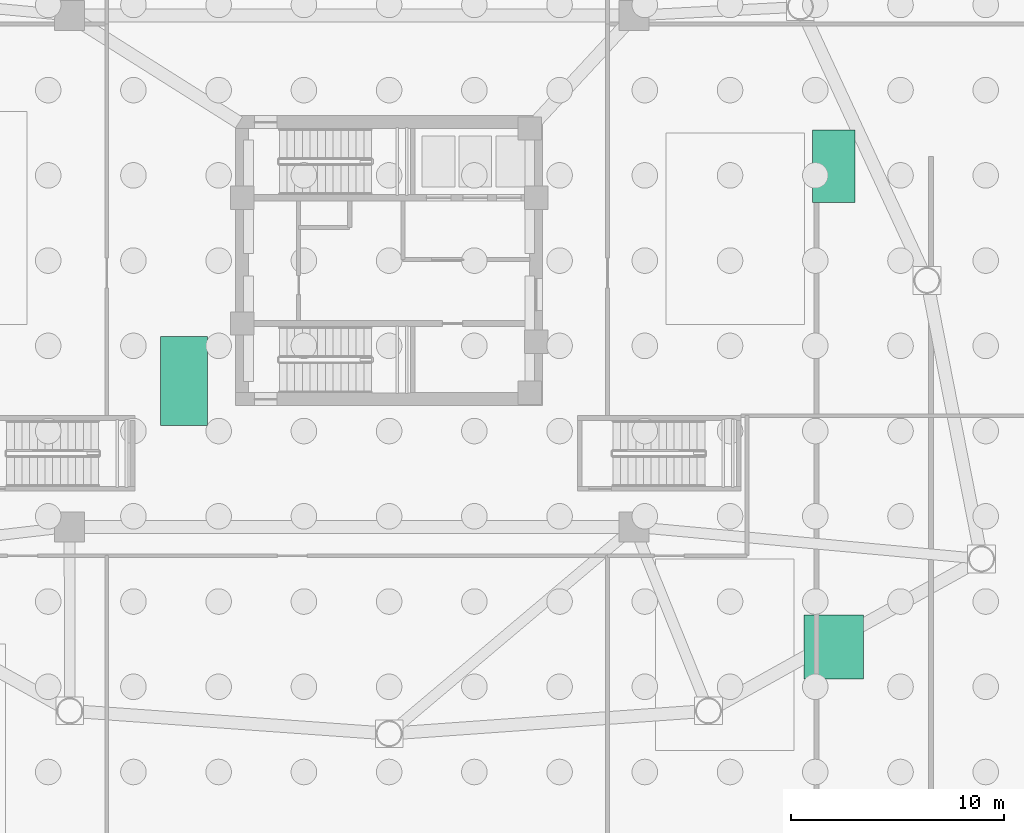
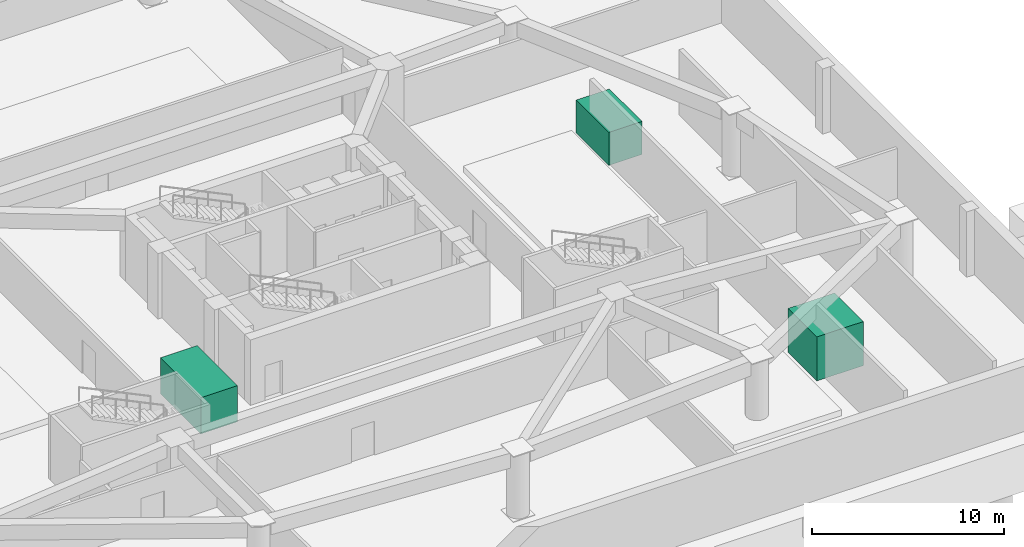
# One storey, part 10 of 11: 1 chiller, 1 cooling tower, 1 unitary equipment element.
"""IFC4 building model written with IfcOpenShell, lengths in metres."""

from ifc_helpers import new_model, si_unit, direction, frame, origin, origin_2d, place, context, subcontext, project, spatial, rectangle, extrude, material, type_object, element, save


model = new_model("IFC4")

# Units and contexts
model_context = context("Model", 3, precision=1e-05, world=origin(), true_north=direction((0.0, 1.0)))
body_context = subcontext(model_context, "Body", "Model", "MODEL_VIEW")
ifc_project = project(units=[si_unit("LENGTHUNIT", "METRE"), si_unit("AREAUNIT", "SQUARE_METRE"), si_unit("VOLUMEUNIT", "CUBIC_METRE"), si_unit("PLANEANGLEUNIT", "RADIAN"), si_unit("MASSUNIT", "GRAM", prefix="KILO")], contexts=[model_context])

# Site, building, storey
site_placement = place(None, origin())
site = spatial("IfcSite", under=ifc_project, at=site_placement, CompositionType="ELEMENT")
building_placement = place(site_placement, origin())
building = spatial("IfcBuilding", under=site, at=building_placement, Name="Tavelor Broadcast Tower", CompositionType="ELEMENT")
storey_placement = place(building_placement, frame((0.0, 0.0, -8.699951171875)))
storey = spatial("IfcBuildingStorey", under=building, at=storey_placement, Name="B02", CompositionType="ELEMENT", Elevation=-8.699951171875)

# Unitary equipment
ifc_material = material(Name="Steel S355", Category="steel")
unitary_equipment_type = type_object("IfcUnitaryEquipmentType", Name="Broadcast Acoustic Air Handling Unit AHU", PredefinedType="AIRHANDLER", material=ifc_material)
unitary_equipment_placement = place(storey_placement, frame((70.860107421875, 49.438720703125, 0.0), z_axis=(0.0, 0.0, 1.0), x_axis=(1.0, 0.0, 0.0)))
element("IfcUnitaryEquipment", 1, at=unitary_equipment_placement, inside=storey, type_object=unitary_equipment_type, Name="B02 Broadcast Acoustic Air Handling Unit #3", PredefinedType="AIRHANDLER", context=body_context, shape_type="SweptSolid", body=[
    extrude(rectangle(XDim=2.0, YDim=3.39990234375, at=origin_2d()), origin(), (0.0, 0.0, 1.0), 2.10009765625),
])

# Chiller
chiller_type = type_object("IfcChillerType", Name="Centrifugal Water-Cooled Chiller Package 2500 kW", PredefinedType="WATERCOOLED", material=ifc_material)
chiller_placement = place(storey_placement, frame((40.373779296875, 39.35009765625, 0.0), z_axis=(0.0, 0.0, 1.0), x_axis=(1.0, 0.0, 0.0)))
element("IfcChiller", 2, at=chiller_placement, inside=storey, type_object=chiller_type, Name="B02 Centrifugal Water-Cooled Chiller #1", PredefinedType="WATERCOOLED", context=body_context, shape_type="SweptSolid", body=[
    extrude(rectangle(XDim=2.199951171875, YDim=4.199951171875, at=origin_2d()), origin(), (0.0, 0.0, 1.0), 2.300048828125),
])

# Cooling tower
cooling_tower_type = type_object("IfcCoolingTowerType", Name="Induced-Draught Acoustic Cooling Tower Cell", PredefinedType="MECHANICALINDUCEDDRAFT", material=ifc_material)
cooling_tower_placement = place(storey_placement, frame((70.860107421875, 26.869384765625, 0.0), z_axis=(0.0, 0.0, 1.0), x_axis=(1.0, 0.0, 0.0)))
element("IfcCoolingTower", 3, at=cooling_tower_placement, inside=storey, type_object=cooling_tower_type, Name="B02 Induced-Draught Acoustic Cooling Tower #2", PredefinedType="MECHANICALINDUCEDDRAFT", context=body_context, shape_type="SweptSolid", body=[
    extrude(rectangle(XDim=2.800048828125, YDim=3.0, at=origin_2d()), origin(), (0.0, 0.0, 1.0), 2.800048828125),
])

save(model, "model.ifc")
